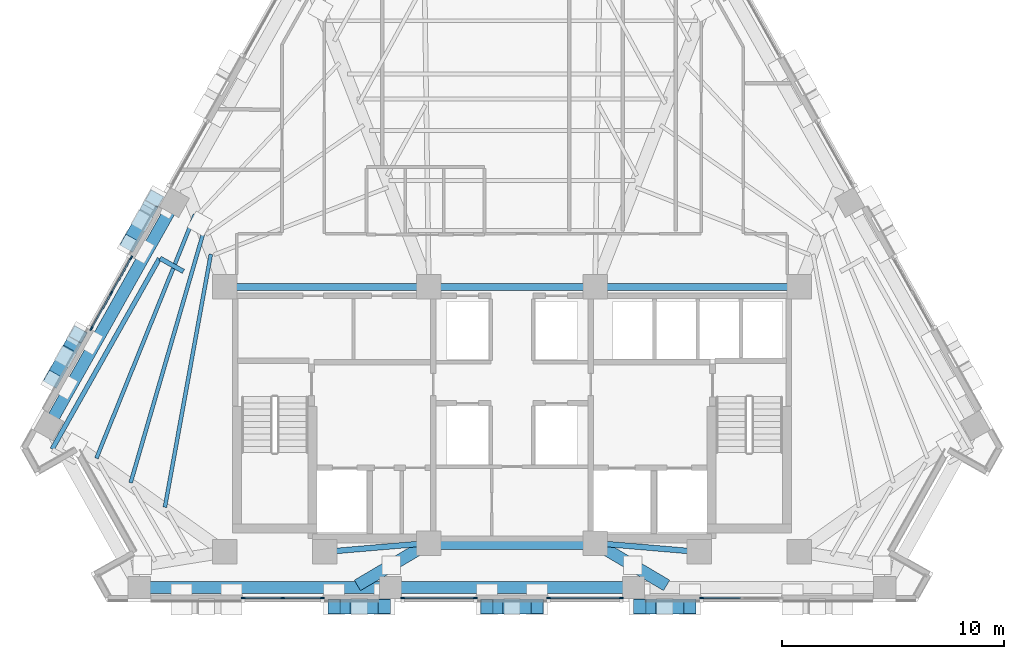
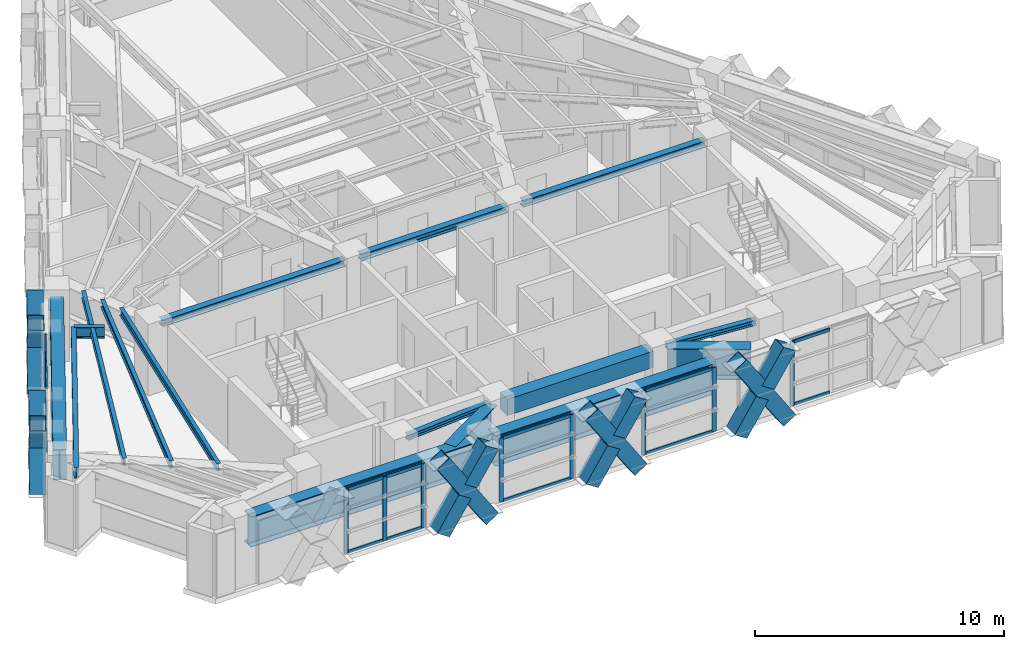
# One storey, part 2 of 13: 39 members, 16 beams, 5 elements without a shape of their own.
"""IFC4 building model written with IfcOpenShell, lengths in metres."""

from ifc_helpers import new_model, si_unit, direction, frame, origin, origin_2d, place, context, subcontext, project, spatial, rectangle, hollow_rectangle, i_section, extrude, material, material_profile, profile_set, type_object, element, aggregate, save


model = new_model("IFC4")

# Units and contexts
model_context = context("Model", 3, precision=1e-05, world=origin(), true_north=direction((0.0, 1.0)))
body_context = subcontext(model_context, "Body", "Model", "MODEL_VIEW")
ifc_project = project(units=[si_unit("LENGTHUNIT", "METRE"), si_unit("AREAUNIT", "SQUARE_METRE"), si_unit("VOLUMEUNIT", "CUBIC_METRE"), si_unit("PLANEANGLEUNIT", "RADIAN"), si_unit("MASSUNIT", "GRAM", prefix="KILO")], contexts=[model_context])

# Site, building, storey
site_placement = place(None, origin())
site = spatial("IfcSite", under=ifc_project, at=site_placement, CompositionType="ELEMENT")
building_placement = place(site_placement, origin())
building = spatial("IfcBuilding", under=site, at=building_placement, Name="Quenlor Broadcast Tower", CompositionType="ELEMENT")
storey_placement = place(building_placement, frame((0.0, 0.0, 175.5)))
storey = spatial("IfcBuildingStorey", under=building, at=storey_placement, Name="L48", CompositionType="ELEMENT", Elevation=175.5)

# Curtain wall, member
ifc_material_1 = material(Name="Architectural Terracotta and Low-E Glazing", Category="masonry")
curtain_wall_type = type_object("IfcCurtainWallType", Name="Unitised Terracotta Curtain Wall System Z3", PredefinedType="NOTDEFINED", material=ifc_material_1)
curtain_wall_1_placement = place(storey_placement, origin())
curtain_wall_1 = element("IfcCurtainWall", 1, at=curtain_wall_1_placement, inside=storey, type_object=curtain_wall_type, Name="L48 Curtain Wall CW3 (L48-SA-G1)", PredefinedType="NOTDEFINED")
ifc_material_2 = material(Name="Aluminium 6063-T6", Category="aluminium")
ifc_material_profile_1 = material_profile(ifc_material_2, rectangle(XDim=0.070068359375, YDim=0.18994140625, at=origin_2d()))
ifc_profile_set_1 = profile_set([ifc_material_profile_1], Name="Aluminium 6063-T6 MULL70x190")
member_type_1 = type_object("IfcMemberType", Name="CW3 Aluminium Mullion MULL_CW3", PredefinedType="MULLION", material=ifc_profile_set_1)
member_1_placement = place(storey_placement, frame((8.550048828125, -18.824951171875, 0.0), z_axis=(0.0, 0.0, 1.0), x_axis=(0.0, -1.0, 0.0)))
member_1 = element("IfcMember", 2, at=member_1_placement, type_object=member_type_1, Name="CW3 mullion 3", PredefinedType="MULLION", context=body_context, shape_type="SweptSolid", body=[
    extrude(rectangle(XDim=0.070068359375, YDim=0.18994140625, at=origin_2d()), origin(), (0.0, 0.0, 1.0), 3.139892578125),
])

# Curtain wall, members
curtain_wall_2_placement = place(storey_placement, origin())
curtain_wall_2 = element("IfcCurtainWall", 3, at=curtain_wall_2_placement, inside=storey, type_object=curtain_wall_type, Name="L48 Curtain Wall CW3 (L48-SC-G1)", PredefinedType="NOTDEFINED")
member_2_placement = place(storey_placement, frame((-8.550048828125, -18.824951171875, 0.0), z_axis=(0.0, 0.0, 1.0), x_axis=(0.0, -1.0, 0.0)))
member_2 = element("IfcMember", 4, at=member_2_placement, type_object=member_type_1, Name="CW3 mullion 1", PredefinedType="MULLION", context=body_context, shape_type="SweptSolid", body=[
    extrude(rectangle(XDim=0.070068359375, YDim=0.18994140625, at=origin_2d()), origin(), (0.0, 0.0, 1.0), 3.139892578125),
])
member_3_placement = place(storey_placement, frame((-10.33203125, -18.824951171875, 0.0), z_axis=(0.0, 0.0, 1.0), x_axis=(0.0, -1.0, 0.0)))
member_3 = element("IfcMember", 5, at=member_3_placement, type_object=member_type_1, Name="CW3 mullion 2", PredefinedType="MULLION", context=body_context, shape_type="SweptSolid", body=[
    extrude(rectangle(XDim=0.070068359375, YDim=0.18994140625, at=origin_2d()), origin(), (0.0, 0.0, 1.0), 3.139892578125),
])
member_4_placement = place(storey_placement, frame((-12.114013671875, -18.824951171875, 0.0), z_axis=(0.0, 0.0, 1.0), x_axis=(0.0, -1.0, 0.0)))
member_4 = element("IfcMember", 6, at=member_4_placement, type_object=member_type_1, Name="CW3 mullion 3", PredefinedType="MULLION", context=body_context, shape_type="SweptSolid", body=[
    extrude(rectangle(XDim=0.070068359375, YDim=0.18994140625, at=origin_2d()), origin(), (0.0, 0.0, 1.0), 3.139892578125),
])

curtain_wall_3_placement = place(storey_placement, origin())
curtain_wall_3 = element("IfcCurtainWall", 7, at=curtain_wall_3_placement, inside=storey, type_object=curtain_wall_type, Name="L48 Curtain Wall CW3 (L48-S-G1)", PredefinedType="NOTDEFINED")
member_5_placement = place(storey_placement, frame((4.926025390625, -18.824951171875, 0.0), z_axis=(0.0, 0.0, 1.0), x_axis=(0.0, -1.0, 0.0)))
member_5 = element("IfcMember", 8, at=member_5_placement, type_object=member_type_1, Name="CW3 mullion 1", PredefinedType="MULLION", context=body_context, shape_type="SweptSolid", body=[
    extrude(rectangle(XDim=0.070068359375, YDim=0.18994140625, at=origin_2d()), origin(), (0.0, 0.0, 1.0), 3.139892578125),
])
member_6_placement = place(storey_placement, frame((1.662109375, -18.824951171875, 0.0), z_axis=(0.0, 0.0, 1.0), x_axis=(0.0, -1.0, 0.0)))
member_6 = element("IfcMember", 9, at=member_6_placement, type_object=member_type_1, Name="CW3 mullion 2", PredefinedType="MULLION", context=body_context, shape_type="SweptSolid", body=[
    extrude(rectangle(XDim=0.070068359375, YDim=0.18994140625, at=origin_2d()), origin(), (0.0, 0.0, 1.0), 3.139892578125),
])

curtain_wall_4_placement = place(storey_placement, origin())
curtain_wall_4 = element("IfcCurtainWall", 10, at=curtain_wall_4_placement, inside=storey, type_object=curtain_wall_type, Name="L48 Curtain Wall CW3 (L48-S-G2)", PredefinedType="NOTDEFINED")
member_7_placement = place(storey_placement, frame((-1.662109375, -18.824951171875, 0.0), z_axis=(0.0, 0.0, 1.0), x_axis=(0.0, -1.0, 0.0)))
member_7 = element("IfcMember", 11, at=member_7_placement, type_object=member_type_1, Name="CW3 mullion 1", PredefinedType="MULLION", context=body_context, shape_type="SweptSolid", body=[
    extrude(rectangle(XDim=0.070068359375, YDim=0.18994140625, at=origin_2d()), origin(), (0.0, 0.0, 1.0), 3.139892578125),
])
member_8_placement = place(storey_placement, frame((-4.926025390625, -18.824951171875, 0.0), z_axis=(0.0, 0.0, 1.0), x_axis=(0.0, -1.0, 0.0)))
member_8 = element("IfcMember", 12, at=member_8_placement, type_object=member_type_1, Name="CW3 mullion 2", PredefinedType="MULLION", context=body_context, shape_type="SweptSolid", body=[
    extrude(rectangle(XDim=0.070068359375, YDim=0.18994140625, at=origin_2d()), origin(), (0.0, 0.0, 1.0), 3.139892578125),
])

curtain_wall_5_placement = place(storey_placement, origin())
curtain_wall_5 = element("IfcCurtainWall", 13, at=curtain_wall_5_placement, inside=storey, type_object=curtain_wall_type, Name="L48 Curtain Wall CW3 (L48-NWA-G1)", PredefinedType="NOTDEFINED")
member_9_placement = place(storey_placement, frame((-18.9677734375, -6.677490234375, 0.0), z_axis=(0.0, 0.0, 1.0), x_axis=(-0.871576967495, 0.490258696743, 0.0)))
member_9 = element("IfcMember", 14, at=member_9_placement, type_object=member_type_1, Name="CW3 mullion 1", PredefinedType="MULLION", context=body_context, shape_type="SweptSolid", body=[
    extrude(rectangle(XDim=0.070068359375, YDim=0.18994140625, at=origin_2d()), origin(), (0.0, 0.0, 1.0), 3.139892578125),
])
member_10_placement = place(storey_placement, frame((-18.069580078125, -5.080810546875, 0.0), z_axis=(0.0, 0.0, 1.0), x_axis=(-0.871576967495, 0.490258696743, 0.0)))
member_10 = element("IfcMember", 15, at=member_10_placement, type_object=member_type_1, Name="CW3 mullion 2", PredefinedType="MULLION", context=body_context, shape_type="SweptSolid", body=[
    extrude(rectangle(XDim=0.070068359375, YDim=0.18994140625, at=origin_2d()), origin(), (0.0, 0.0, 1.0), 3.139892578125),
])
member_11_placement = place(storey_placement, frame((-17.17138671875, -3.48388671875, 0.0), z_axis=(0.0, 0.0, 1.0), x_axis=(-0.871576967495, 0.490258696743, 0.0)))
member_11 = element("IfcMember", 16, at=member_11_placement, type_object=member_type_1, Name="CW3 mullion 3", PredefinedType="MULLION", context=body_context, shape_type="SweptSolid", body=[
    extrude(rectangle(XDim=0.070068359375, YDim=0.18994140625, at=origin_2d()), origin(), (0.0, 0.0, 1.0), 3.139892578125),
])

# Member
ifc_material_3 = material(Name="Aluminium 6063-T6", Category="aluminium")
ifc_material_profile_2 = material_profile(ifc_material_3, rectangle(XDim=0.070068359375, YDim=0.155029296875, at=origin_2d()))
ifc_profile_set_2 = profile_set([ifc_material_profile_2], Name="Aluminium 6063-T6 TRAN70x155")
member_type_2 = type_object("IfcMemberType", Name="CW3 Aluminium Transom TRAN_CW3", PredefinedType="USERDEFINED", material=ifc_profile_set_2)
member_12_placement = place(storey_placement, frame((10.297119140625, -18.824951171875, 0.034912109375), z_axis=(-1.0, 0.0, 0.0), x_axis=(0.0, -1.0, 0.0)))
member_12 = element("IfcMember", 17, at=member_12_placement, type_object=member_type_2, Name="CW3 transom 2.1", ObjectType="TRANSOM", PredefinedType="USERDEFINED", context=body_context, shape_type="SweptSolid", body=[
    extrude(rectangle(XDim=0.070068359375, YDim=0.155029296875, at=origin_2d()), origin(), (0.0, 0.0, 1.0), 1.712158203125),
])

member_13_placement = place(storey_placement, frame((10.297119140625, -18.824951171875, 3.10498046875), z_axis=(-1.0, 0.0, 0.0), x_axis=(0.0, -1.0, 0.0)))
member_13 = element("IfcMember", 18, at=member_13_placement, type_object=member_type_2, Name="CW3 transom 2.2", ObjectType="TRANSOM", PredefinedType="USERDEFINED", context=body_context, shape_type="SweptSolid", body=[
    extrude(rectangle(XDim=0.070068359375, YDim=0.155029296875, at=origin_2d()), origin(), (0.0, 0.0, 1.0), 1.712158203125),
])

aggregate(curtain_wall_1, [member_1, member_12, member_13])

member_14_placement = place(storey_placement, frame((-8.5849609375, -18.824951171875, 0.034912109375), z_axis=(-1.0, 0.0, 0.0), x_axis=(0.0, -1.0, 0.0)))
member_14 = element("IfcMember", 19, at=member_14_placement, type_object=member_type_2, Name="CW3 transom 1.1", ObjectType="TRANSOM", PredefinedType="USERDEFINED", context=body_context, shape_type="SweptSolid", body=[
    extrude(rectangle(XDim=0.070068359375, YDim=0.155029296875, at=origin_2d()), origin(), (0.0, 0.0, 1.0), 1.712158203125),
])

member_15_placement = place(storey_placement, frame((-8.5849609375, -18.824951171875, 3.10498046875), z_axis=(-1.0, 0.0, 0.0), x_axis=(0.0, -1.0, 0.0)))
member_15 = element("IfcMember", 20, at=member_15_placement, type_object=member_type_2, Name="CW3 transom 1.2", ObjectType="TRANSOM", PredefinedType="USERDEFINED", context=body_context, shape_type="SweptSolid", body=[
    extrude(rectangle(XDim=0.070068359375, YDim=0.155029296875, at=origin_2d()), origin(), (0.0, 0.0, 1.0), 1.712158203125),
])

member_16_placement = place(storey_placement, frame((-10.366943359375, -18.824951171875, 0.034912109375), z_axis=(-1.0, 0.0, 0.0), x_axis=(0.0, -1.0, 0.0)))
member_16 = element("IfcMember", 21, at=member_16_placement, type_object=member_type_2, Name="CW3 transom 2.1", ObjectType="TRANSOM", PredefinedType="USERDEFINED", context=body_context, shape_type="SweptSolid", body=[
    extrude(rectangle(XDim=0.070068359375, YDim=0.155029296875, at=origin_2d()), origin(), (0.0, 0.0, 1.0), 1.712158203125),
])

member_17_placement = place(storey_placement, frame((-10.366943359375, -18.824951171875, 3.10498046875), z_axis=(-1.0, 0.0, 0.0), x_axis=(0.0, -1.0, 0.0)))
member_17 = element("IfcMember", 22, at=member_17_placement, type_object=member_type_2, Name="CW3 transom 2.2", ObjectType="TRANSOM", PredefinedType="USERDEFINED", context=body_context, shape_type="SweptSolid", body=[
    extrude(rectangle(XDim=0.070068359375, YDim=0.155029296875, at=origin_2d()), origin(), (0.0, 0.0, 1.0), 1.712158203125),
])

aggregate(curtain_wall_2, [member_2, member_3, member_4, member_14, member_15, member_16, member_17])

member_18_placement = place(storey_placement, frame((4.89111328125, -18.824951171875, 0.034912109375), z_axis=(-1.0, 0.0, 0.0), x_axis=(0.0, -1.0, 0.0)))
member_18 = element("IfcMember", 23, at=member_18_placement, type_object=member_type_2, Name="CW3 transom 1.1", ObjectType="TRANSOM", PredefinedType="USERDEFINED", context=body_context, shape_type="SweptSolid", body=[
    extrude(rectangle(XDim=0.070068359375, YDim=0.155029296875, at=origin_2d()), origin(), (0.0, 0.0, 1.0), 3.194091796875),
])

member_19_placement = place(storey_placement, frame((4.89111328125, -18.824951171875, 3.10498046875), z_axis=(-1.0, 0.0, 0.0), x_axis=(0.0, -1.0, 0.0)))
member_19 = element("IfcMember", 24, at=member_19_placement, type_object=member_type_2, Name="CW3 transom 1.2", ObjectType="TRANSOM", PredefinedType="USERDEFINED", context=body_context, shape_type="SweptSolid", body=[
    extrude(rectangle(XDim=0.070068359375, YDim=0.155029296875, at=origin_2d()), origin(), (0.0, 0.0, 1.0), 3.194091796875),
])

aggregate(curtain_wall_3, [member_5, member_6, member_18, member_19])

member_20_placement = place(storey_placement, frame((-1.697021484375, -18.824951171875, 0.034912109375), z_axis=(-1.0, 0.0, 0.0), x_axis=(0.0, -1.0, 0.0)))
member_20 = element("IfcMember", 25, at=member_20_placement, type_object=member_type_2, Name="CW3 transom 1.1", ObjectType="TRANSOM", PredefinedType="USERDEFINED", context=body_context, shape_type="SweptSolid", body=[
    extrude(rectangle(XDim=0.070068359375, YDim=0.155029296875, at=origin_2d()), origin(), (0.0, 0.0, 1.0), 3.194091796875),
])

member_21_placement = place(storey_placement, frame((-1.697021484375, -18.824951171875, 3.10498046875), z_axis=(-1.0, 0.0, 0.0), x_axis=(0.0, -1.0, 0.0)))
member_21 = element("IfcMember", 26, at=member_21_placement, type_object=member_type_2, Name="CW3 transom 1.2", ObjectType="TRANSOM", PredefinedType="USERDEFINED", context=body_context, shape_type="SweptSolid", body=[
    extrude(rectangle(XDim=0.070068359375, YDim=0.155029296875, at=origin_2d()), origin(), (0.0, 0.0, 1.0), 3.194091796875),
])

aggregate(curtain_wall_4, [member_7, member_8, member_20, member_21])

member_22_placement = place(storey_placement, frame((-18.95068359375, -6.64697265625, 0.034912109375), z_axis=(0.490188879637, 0.871616235668, 0.0), x_axis=(-0.871616235668, 0.490188879637, 0.0)))
member_22 = element("IfcMember", 27, at=member_22_placement, type_object=member_type_2, Name="CW3 transom 1.1", ObjectType="TRANSOM", PredefinedType="USERDEFINED", context=body_context, shape_type="SweptSolid", body=[
    extrude(rectangle(XDim=0.070068359375, YDim=0.155029296875, at=origin_2d()), origin(), (0.0, 0.0, 1.0), 1.76220703125),
])

member_23_placement = place(storey_placement, frame((-18.95068359375, -6.64697265625, 3.10498046875), z_axis=(0.490188879637, 0.871616235668, 0.0), x_axis=(-0.871616235668, 0.490188879637, 0.0)))
member_23 = element("IfcMember", 28, at=member_23_placement, type_object=member_type_2, Name="CW3 transom 1.2", ObjectType="TRANSOM", PredefinedType="USERDEFINED", context=body_context, shape_type="SweptSolid", body=[
    extrude(rectangle(XDim=0.070068359375, YDim=0.155029296875, at=origin_2d()), origin(), (0.0, 0.0, 1.0), 1.76220703125),
])

member_24_placement = place(storey_placement, frame((-18.052490234375, -5.05029296875, 0.034912109375), z_axis=(0.490188879637, 0.871616235668, 0.0), x_axis=(-0.871616235668, 0.490188879637, 0.0)))
member_24 = element("IfcMember", 29, at=member_24_placement, type_object=member_type_2, Name="CW3 transom 2.1", ObjectType="TRANSOM", PredefinedType="USERDEFINED", context=body_context, shape_type="SweptSolid", body=[
    extrude(rectangle(XDim=0.070068359375, YDim=0.155029296875, at=origin_2d()), origin(), (0.0, 0.0, 1.0), 1.76220703125),
])

member_25_placement = place(storey_placement, frame((-18.052490234375, -5.05029296875, 3.10498046875), z_axis=(0.490188879637, 0.871616235668, 0.0), x_axis=(-0.871616235668, 0.490188879637, 0.0)))
member_25 = element("IfcMember", 30, at=member_25_placement, type_object=member_type_2, Name="CW3 transom 2.2", ObjectType="TRANSOM", PredefinedType="USERDEFINED", context=body_context, shape_type="SweptSolid", body=[
    extrude(rectangle(XDim=0.070068359375, YDim=0.155029296875, at=origin_2d()), origin(), (0.0, 0.0, 1.0), 1.76220703125),
])

aggregate(curtain_wall_5, [member_9, member_10, member_11, member_22, member_23, member_24, member_25])

# Beams
ifc_material_4 = material(Name="Concrete C50/60", Category="concrete")
ifc_material_profile_3 = material_profile(ifc_material_4, rectangle(XDim=0.60009765625, YDim=0.800048828125, at=origin_2d()))
ifc_profile_set_3 = profile_set([ifc_material_profile_3], Name="Concrete C50/60 RCB600x800")
beam_type_1 = type_object("IfcBeamType", Name="Core Coupling Beam Concrete C50/60 600x800", PredefinedType="BEAM", material=ifc_profile_set_3)
beam_1_placement = place(storey_placement, frame((-3.389892578125, -16.35009765625, 2.739990234375), z_axis=(1.0, 0.0, 0.0), x_axis=(0.0, 1.0, 0.0)))
element("IfcBeam", 31, at=beam_1_placement, inside=storey, type_object=beam_type_1, Name="L48 Core Coupling Beam 6", PredefinedType="BEAM", context=body_context, shape_type="SweptSolid", body=[
    extrude(rectangle(XDim=0.60009765625, YDim=0.800048828125, at=origin_2d()), origin(), (0.0, 0.0, 1.0), 6.77978515625),
])
ifc_material_5 = material(Name="Steel S355", Category="steel")
ifc_material_profile_4 = material_profile(ifc_material_5, i_section(OverallWidth=0.304931640625, OverallDepth=0.30810546875, WebThickness=0.010009765625, FlangeThickness=0.015380859375, FilletRadius=0.0166015625, at=origin_2d()))
ifc_profile_set_4 = profile_set([ifc_material_profile_4], Name="Steel S355 310UC96.8")
beam_type_2 = type_object("IfcBeamType", Name="Core Header Beam Steel S355 310UC96.8", PredefinedType="BEAM", material=ifc_profile_set_4)
beam_2_placement = place(storey_placement, frame((-3.389892578125, -4.800048828125, 2.986083984375), z_axis=(1.0, 0.0, 0.0), x_axis=(0.0, 1.0, 0.0)))
element("IfcBeam", 32, at=beam_2_placement, inside=storey, type_object=beam_type_2, Name="L48 Core Header Beam 2", PredefinedType="BEAM", context=body_context, shape_type="SweptSolid", body=[
    extrude(i_section(OverallWidth=0.304931640625, OverallDepth=0.30810546875, WebThickness=0.010009765625, FlangeThickness=0.015380859375, FilletRadius=0.0166015625, at=origin_2d()), origin(), (0.0, 0.0, 1.0), 6.77978515625),
])
ifc_material_6 = material(Name="Steel S355", Category="steel")
ifc_material_profile_5 = material_profile(ifc_material_6, i_section(OverallWidth=0.25390625, OverallDepth=0.25390625, WebThickness=0.008544921875, FlangeThickness=0.01416015625, FilletRadius=0.013916015625, at=origin_2d()))
ifc_profile_set_5 = profile_set([ifc_material_profile_5], Name="Steel S355 250UC72.9")
beam_type_3 = type_object("IfcBeamType", Name="Core Opening Lintel Beam Steel S355 250UC72.9", PredefinedType="LINTEL", material=ifc_profile_set_5)
for number, where, z_axis, x_axis, name in (
    (33, (-8.09130859375, -16.719482421875, 3.01318359375), (0.996399763903, 0.084779186679, 0.0), (-0.084779186679, 0.996399763903, 0.0), "L48 Core Opening Lintel Beam 4"),
    (34, (4.108642578125, -16.380615234375, 3.01318359375), (0.996399763903, -0.084779186679, 0.0), (0.084779186679, 0.996399763903, 0.0), "L48 Core Opening Lintel Beam 5"),
):
    element("IfcBeam", number, at=place(storey_placement, frame(where, z_axis=z_axis, x_axis=x_axis)), inside=storey, type_object=beam_type_3, Name=name, PredefinedType="LINTEL", context=body_context, shape_type="SweptSolid", body=[
        extrude(i_section(OverallWidth=0.25390625, OverallDepth=0.25390625, WebThickness=0.008544921875, FlangeThickness=0.01416015625, FilletRadius=0.013916015625, at=origin_2d()), origin(), (0.0, 0.0, 1.0), 3.9970703125),
    ])
ifc_material_7 = material(Name="Steel S355", Category="steel")
ifc_material_profile_6 = material_profile(ifc_material_7, i_section(OverallWidth=0.306884765625, OverallDepth=0.314697265625, WebThickness=0.011962890625, FlangeThickness=0.018798828125, FilletRadius=0.0166015625, at=origin_2d()))
ifc_profile_set_6 = profile_set([ifc_material_profile_6], Name="Steel S355 310UC118")
beam_type_4 = type_object("IfcBeamType", Name="Core Tie Beam Steel S355 310UC118", PredefinedType="BEAM", material=ifc_profile_set_6)
for number, where, z_axis, x_axis, name in (
    (35, (-12.590087890625, -4.800048828125, 2.982666015625), (1.0, 0.0, 0.0), (0.0, 1.0, 0.0), "L48 Core Tie Beam 1"),
    (36, (4.110107421875, -4.800048828125, 2.982666015625), (1.0, 0.0, 0.0), (0.0, 1.0, 0.0), "L48 Core Tie Beam 3"),
):
    element("IfcBeam", number, at=place(storey_placement, frame(where, z_axis=z_axis, x_axis=x_axis)), inside=storey, type_object=beam_type_4, Name=name, PredefinedType="BEAM", context=body_context, shape_type="SweptSolid", body=[
        extrude(i_section(OverallWidth=0.306884765625, OverallDepth=0.314697265625, WebThickness=0.011962890625, FlangeThickness=0.018798828125, FilletRadius=0.0166015625, at=origin_2d()), origin(), (0.0, 0.0, 1.0), 8.47998046875),
    ])

# Members
ifc_material_8 = material(Name="Steel S355", Category="steel")
ifc_material_profile_7 = material_profile(ifc_material_8, hollow_rectangle(XDim=0.679931640625, YDim=0.679931640625, WallThickness=0.02490234375, at=origin_2d()))
ifc_profile_set_7 = profile_set([ifc_material_profile_7], Name="Steel S355 RHS680x680x25")
member_type_3 = type_object("IfcMemberType", Name="Perimeter Diagonal Lattice Brace Z3-Z4 Steel S355 RHS680x25", PredefinedType="BRACE", material=ifc_profile_set_7)
member_26_placement = place(storey_placement, frame((8.022216796875, -19.219970703125, -0.1201171875), z_axis=(-0.543860340502, 0.0, 0.839175744424), x_axis=(0.0, -1.0, 0.0)))
element("IfcMember", 37, at=member_26_placement, inside=storey, type_object=member_type_3, Name="L48 Perimeter Diamond Lattice S-C2XA", PredefinedType="BRACE", context=body_context, shape_type="SweptSolid", body=[
    extrude(hollow_rectangle(XDim=0.679931640625, YDim=0.679931640625, WallThickness=0.02490234375, at=origin_2d()), origin(), (0.0, 0.0, 1.0), 4.170654296875),
])
member_27_placement = place(storey_placement, frame((5.75390625, -19.219970703125, -0.1201171875), z_axis=(0.543786168213, 0.0, 0.839223809994), x_axis=(0.0, 1.0, 0.0)))
element("IfcMember", 38, at=member_27_placement, inside=storey, type_object=member_type_3, Name="L48 Perimeter Diamond Lattice S-C2XB1", PredefinedType="BRACE", context=body_context, shape_type="SweptSolid", body=[
    extrude(hollow_rectangle(XDim=0.679931640625, YDim=0.679931640625, WallThickness=0.02490234375, at=origin_2d()), origin(), (0.0, 0.0, 1.0), 1.83544921875),
])
member_28_placement = place(storey_placement, frame((7.02392578125, -19.219970703125, 1.83984375), z_axis=(0.543940555506, 0.0, 0.839123752539), x_axis=(0.0, 1.0, 0.0)))
element("IfcMember", 39, at=member_28_placement, inside=storey, type_object=member_type_3, Name="L48 Perimeter Diamond Lattice S-C2XB2", PredefinedType="BRACE", context=body_context, shape_type="SweptSolid", body=[
    extrude(hollow_rectangle(XDim=0.679931640625, YDim=0.679931640625, WallThickness=0.02490234375, at=origin_2d()), origin(), (0.0, 0.0, 1.0), 1.835205078125),
])
member_29_placement = place(storey_placement, frame((1.13427734375, -19.219970703125, -0.1201171875), z_axis=(-0.543901560697, 0.0, 0.839149028643), x_axis=(0.0, -1.0, 0.0)))
element("IfcMember", 40, at=member_29_placement, inside=storey, type_object=member_type_3, Name="L48 Perimeter Diamond Lattice S-C3XA", PredefinedType="BRACE", context=body_context, shape_type="SweptSolid", body=[
    extrude(hollow_rectangle(XDim=0.679931640625, YDim=0.679931640625, WallThickness=0.02490234375, at=origin_2d()), origin(), (0.0, 0.0, 1.0), 4.1708984375),
])
member_30_placement = place(storey_placement, frame((-1.13427734375, -19.219970703125, -0.1201171875), z_axis=(0.543879843653, 0.0, 0.83916310433), x_axis=(0.0, 1.0, 0.0)))
element("IfcMember", 41, at=member_30_placement, inside=storey, type_object=member_type_3, Name="L48 Perimeter Diamond Lattice S-C3XB1", PredefinedType="BRACE", context=body_context, shape_type="SweptSolid", body=[
    extrude(hollow_rectangle(XDim=0.679931640625, YDim=0.679931640625, WallThickness=0.02490234375, at=origin_2d()), origin(), (0.0, 0.0, 1.0), 1.83544921875),
])
member_31_placement = place(storey_placement, frame((0.135986328125, -19.219970703125, 1.83984375), z_axis=(0.543940555506, 0.0, 0.839123752539), x_axis=(0.0, 1.0, 0.0)))
element("IfcMember", 42, at=member_31_placement, inside=storey, type_object=member_type_3, Name="L48 Perimeter Diamond Lattice S-C3XB2", PredefinedType="BRACE", context=body_context, shape_type="SweptSolid", body=[
    extrude(hollow_rectangle(XDim=0.679931640625, YDim=0.679931640625, WallThickness=0.02490234375, at=origin_2d()), origin(), (0.0, 0.0, 1.0), 1.835205078125),
])
member_32_placement = place(storey_placement, frame((-5.75390625, -19.219970703125, -0.1201171875), z_axis=(-0.543860340502, 0.0, 0.839175744424), x_axis=(0.0, -1.0, 0.0)))
element("IfcMember", 43, at=member_32_placement, inside=storey, type_object=member_type_3, Name="L48 Perimeter Diamond Lattice S-C4XA", PredefinedType="BRACE", context=body_context, shape_type="SweptSolid", body=[
    extrude(hollow_rectangle(XDim=0.679931640625, YDim=0.679931640625, WallThickness=0.02490234375, at=origin_2d()), origin(), (0.0, 0.0, 1.0), 4.170654296875),
])
member_33_placement = place(storey_placement, frame((-8.022216796875, -19.219970703125, -0.1201171875), z_axis=(0.543879843653, 0.0, 0.83916310433), x_axis=(0.0, 1.0, 0.0)))
element("IfcMember", 44, at=member_33_placement, inside=storey, type_object=member_type_3, Name="L48 Perimeter Diamond Lattice S-C4XB1", PredefinedType="BRACE", context=body_context, shape_type="SweptSolid", body=[
    extrude(hollow_rectangle(XDim=0.679931640625, YDim=0.679931640625, WallThickness=0.02490234375, at=origin_2d()), origin(), (0.0, 0.0, 1.0), 1.83544921875),
])
member_34_placement = place(storey_placement, frame((-6.751953125, -19.219970703125, 1.83984375), z_axis=(0.543846878394, 0.0, 0.839184468911), x_axis=(0.0, 1.0, 0.0)))
element("IfcMember", 45, at=member_34_placement, inside=storey, type_object=member_type_3, Name="L48 Perimeter Diamond Lattice S-C4XB2", PredefinedType="BRACE", context=body_context, shape_type="SweptSolid", body=[
    extrude(hollow_rectangle(XDim=0.679931640625, YDim=0.679931640625, WallThickness=0.02490234375, at=origin_2d()), origin(), (0.0, 0.0, 1.0), 1.835205078125),
])
member_35_placement = place(storey_placement, frame((-20.705810546875, -8.96142578125, -0.1201171875), z_axis=(0.2705491942, 0.481008661973, 0.833926735766), x_axis=(-0.871589611547, 0.490236217596, 0.0)))
element("IfcMember", 46, at=member_35_placement, inside=storey, type_object=member_type_3, Name="L48 Perimeter Diamond Lattice NW-C1XA", PredefinedType="BRACE", context=body_context, shape_type="SweptSolid", body=[
    extrude(hollow_rectangle(XDim=0.679931640625, YDim=0.679931640625, WallThickness=0.02490234375, at=origin_2d()), origin(), (0.0, 0.0, 1.0), 4.197021484375),
])
member_36_placement = place(storey_placement, frame((-19.5703125, -6.942626953125, -0.1201171875), z_axis=(-0.270494026149, -0.481025021111, 0.833935195853), x_axis=(0.871639445711, -0.490147607034, 0.0)))
element("IfcMember", 47, at=member_36_placement, inside=storey, type_object=member_type_3, Name="L48 Perimeter Diamond Lattice NW-C1XB1", PredefinedType="BRACE", context=body_context, shape_type="SweptSolid", body=[
    extrude(hollow_rectangle(XDim=0.679931640625, YDim=0.679931640625, WallThickness=0.02490234375, at=origin_2d()), origin(), (0.0, 0.0, 1.0), 1.848388671875),
])
member_37_placement = place(storey_placement, frame((-20.20556640625, -8.072265625, 1.83837890625), z_axis=(-0.270616433058, -0.481007832697, 0.833905396938), x_axis=(0.871537189362, -0.490329407194, 0.0)))
element("IfcMember", 48, at=member_37_placement, inside=storey, type_object=member_type_3, Name="L48 Perimeter Diamond Lattice NW-C1XB2", PredefinedType="BRACE", context=body_context, shape_type="SweptSolid", body=[
    extrude(hollow_rectangle(XDim=0.679931640625, YDim=0.679931640625, WallThickness=0.02490234375, at=origin_2d()), origin(), (0.0, 0.0, 1.0), 1.8486328125),
])
member_38_placement = place(storey_placement, frame((-17.257568359375, -2.83154296875, -0.1201171875), z_axis=(0.2705491942, 0.481008661973, 0.833926735766), x_axis=(-0.871589611547, 0.490236217596, 0.0)))
element("IfcMember", 49, at=member_38_placement, inside=storey, type_object=member_type_3, Name="L48 Perimeter Diamond Lattice NW-C2XA", PredefinedType="BRACE", context=body_context, shape_type="SweptSolid", body=[
    extrude(hollow_rectangle(XDim=0.679931640625, YDim=0.679931640625, WallThickness=0.02490234375, at=origin_2d()), origin(), (0.0, 0.0, 1.0), 4.197021484375),
])
member_39_placement = place(storey_placement, frame((-16.757568359375, -1.9423828125, 1.83837890625), z_axis=(-0.270494026149, -0.481025021111, 0.833935195853), x_axis=(0.871639445711, -0.490147607034, 0.0)))
element("IfcMember", 50, at=member_39_placement, inside=storey, type_object=member_type_3, Name="L48 Perimeter Diamond Lattice NW-C2XB2", PredefinedType="BRACE", context=body_context, shape_type="SweptSolid", body=[
    extrude(hollow_rectangle(XDim=0.679931640625, YDim=0.679931640625, WallThickness=0.02490234375, at=origin_2d()), origin(), (0.0, 0.0, 1.0), 1.848388671875),
])

# Beams
ifc_material_9 = material(Name="Steel S355", Category="steel")
ifc_material_profile_8 = material_profile(ifc_material_9, i_section(OverallWidth=0.208984375, OverallDepth=0.532958984375, WebThickness=0.01025390625, FlangeThickness=0.015625, FilletRadius=0.013916015625, at=origin_2d()))
ifc_profile_set_8 = profile_set([ifc_material_profile_8], Name="Steel S355 530UB92.4")
beam_type_5 = type_object("IfcBeamType", Name="Perimeter Spandrel Beam Z1 Steel S355 530UB92.4", PredefinedType="SPANDREL", material=ifc_profile_set_8)
beam_3_placement = place(storey_placement, frame((-14.81640625, -4.10205078125, 2.87353515625), z_axis=(-0.871575537125, 0.490261239633, 0.0), x_axis=(-0.490261239633, -0.871575537125, 0.0)))
element("IfcBeam", 51, at=beam_3_placement, inside=storey, type_object=beam_type_5, Name="L48 Lattice Sill Radial Tie NWA2", PredefinedType="SPANDREL", context=body_context, shape_type="SweptSolid", body=[
    extrude(i_section(OverallWidth=0.208984375, OverallDepth=0.532958984375, WebThickness=0.01025390625, FlangeThickness=0.015625, FilletRadius=0.013916015625, at=origin_2d()), origin(), (0.0, 0.0, 1.0), 1.210205078125),
])
beam_4_placement = place(storey_placement, frame((-20.734130859375, -12.114013671875, 2.87353515625), z_axis=(0.490253014007, 0.871580163988, 0.0), x_axis=(-0.871580163988, 0.490253014007, 0.0)))
element("IfcBeam", 52, at=beam_4_placement, inside=storey, type_object=beam_type_5, Name="L48 Lattice Sill Girder NWA", PredefinedType="SPANDREL", context=body_context, shape_type="SweptSolid", body=[
    extrude(i_section(OverallWidth=0.208984375, OverallDepth=0.532958984375, WebThickness=0.01025390625, FlangeThickness=0.015625, FilletRadius=0.013916015625, at=origin_2d()), origin(), (0.0, 0.0, 1.0), 9.8642578125),
])
ifc_material_10 = material(Name="Steel S355", Category="steel")
ifc_material_profile_9 = material_profile(ifc_material_10, i_section(OverallWidth=0.172119140625, OverallDepth=0.358642578125, WebThickness=0.008056640625, FlangeThickness=0.012939453125, FilletRadius=0.011474609375, at=origin_2d()))
ifc_profile_set_9 = profile_set([ifc_material_profile_9], Name="Steel S355 360UB56.7")
beam_type_6 = type_object("IfcBeamType", Name="Tower Composite Joist Z2-Z3 Steel S355 360UB56.7", PredefinedType="JOIST", material=ifc_profile_set_9)
beam_5_placement = place(storey_placement, frame((-15.65185546875, -14.735595703125, 2.960693359375), z_axis=(0.178674258283, 0.983908283036, 0.0), x_axis=(-0.983908283036, 0.178674258283, 0.0)))
element("IfcBeam", 53, at=beam_5_placement, inside=storey, type_object=beam_type_6, Name="L48 Secondary Composite Joist 13", PredefinedType="JOIST", context=body_context, shape_type="SweptSolid", body=[
    extrude(i_section(OverallWidth=0.172119140625, OverallDepth=0.358642578125, WebThickness=0.008056640625, FlangeThickness=0.012939453125, FilletRadius=0.011474609375, at=origin_2d()), origin(), (0.0, 0.0, 1.0), 11.597900390625),
])
beam_6_placement = place(storey_placement, frame((-17.19580078125, -13.631103515625, 2.960693359375), z_axis=(0.279253029603, 0.960217551109, 0.0), x_axis=(-0.960217551109, 0.279253029603, 0.0)))
element("IfcBeam", 54, at=beam_6_placement, inside=storey, type_object=beam_type_6, Name="L48 Secondary Composite Joist 14", PredefinedType="JOIST", context=body_context, shape_type="SweptSolid", body=[
    extrude(i_section(OverallWidth=0.172119140625, OverallDepth=0.358642578125, WebThickness=0.008056640625, FlangeThickness=0.012939453125, FilletRadius=0.011474609375, at=origin_2d()), origin(), (0.0, 0.0, 1.0), 11.660888671875),
])
beam_7_placement = place(storey_placement, frame((-18.740234375, -12.527587890625, 2.960693359375), z_axis=(0.374873206921, 0.927076091123, 0.0), x_axis=(-0.927076091123, 0.374873206921, 0.0)))
element("IfcBeam", 55, at=beam_7_placement, inside=storey, type_object=beam_type_6, Name="L48 Secondary Composite Joist 15", PredefinedType="JOIST", context=body_context, shape_type="SweptSolid", body=[
    extrude(i_section(OverallWidth=0.172119140625, OverallDepth=0.358642578125, WebThickness=0.008056640625, FlangeThickness=0.012939453125, FilletRadius=0.011474609375, at=origin_2d()), origin(), (0.0, 0.0, 1.0), 11.848388671875),
])
ifc_material_11 = material(Name="Steel S355", Category="steel")
ifc_material_profile_10 = material_profile(ifc_material_11, i_section(OverallWidth=0.550048828125, OverallDepth=1.5, WebThickness=0.02197265625, FlangeThickness=0.034912109375, FilletRadius=0.01806640625, at=origin_2d()))
ifc_profile_set_10 = profile_set([ifc_material_profile_10], Name="Steel S355 1500TG510")
beam_type_7 = type_object("IfcBeamType", Name="Zone Setback Transfer Girder Steel S355 1500", PredefinedType="BEAM", material=ifc_profile_set_10)
beam_8_placement = place(storey_placement, frame((-16.3984375, -18.35009765625, 2.389892578125), z_axis=(1.0, 0.0, 0.0), x_axis=(0.0, 1.0, 0.0)))
element("IfcBeam", 56, at=beam_8_placement, inside=storey, type_object=beam_type_7, Name="L48 Spandrel Beam S1-S2", PredefinedType="BEAM", context=body_context, shape_type="SweptSolid", body=[
    extrude(i_section(OverallWidth=0.550048828125, OverallDepth=1.5, WebThickness=0.02197265625, FlangeThickness=0.034912109375, FilletRadius=0.01806640625, at=origin_2d()), origin(), (0.0, 0.0, 1.0), 10.50732421875),
])
beam_9_placement = place(storey_placement, frame((-5.071044921875, -18.35009765625, 2.389892578125), z_axis=(1.0, 0.0, 0.0), x_axis=(0.0, 1.0, 0.0)))
element("IfcBeam", 57, at=beam_9_placement, inside=storey, type_object=beam_type_7, Name="L48 Spandrel Beam S2-S3", PredefinedType="BEAM", context=body_context, shape_type="SweptSolid", body=[
    extrude(i_section(OverallWidth=0.550048828125, OverallDepth=1.5, WebThickness=0.02197265625, FlangeThickness=0.034912109375, FilletRadius=0.01806640625, at=origin_2d()), origin(), (0.0, 0.0, 1.0), 10.14208984375),
])
beam_10_placement = place(storey_placement, frame((-15.425048828125, -1.347900390625, 2.389892578125), z_axis=(-0.490257999604, -0.871577359633, 0.0), x_axis=(0.871577359633, -0.490257999604, 0.0)))
element("IfcBeam", 58, at=beam_10_placement, inside=storey, type_object=beam_type_7, Name="L48 Spandrel Beam NW3-NW4", PredefinedType="BEAM", context=body_context, shape_type="SweptSolid", body=[
    extrude(i_section(OverallWidth=0.550048828125, OverallDepth=1.5, WebThickness=0.02197265625, FlangeThickness=0.034912109375, FilletRadius=0.01806640625, at=origin_2d()), origin(), (0.0, 0.0, 1.0), 10.732666015625),
])
for number, where, z_axis, x_axis, name in (
    (59, (-4.076904296875, -16.543701171875, 2.389892578125), (-0.860323365205, -0.509748670702, 0.0), (0.509748670702, -0.860323365205, 0.0), "L48 Setback Transfer Girder S2"),
    (60, (4.076904296875, -16.543701171875, 2.389892578125), (0.860323365205, -0.509748670702, 0.0), (0.509748670702, 0.860323365205, 0.0), "L48 Setback Transfer Girder S3"),
):
    element("IfcBeam", number, at=place(storey_placement, frame(where, z_axis=z_axis, x_axis=x_axis)), inside=storey, type_object=beam_type_7, Name=name, PredefinedType="BEAM", context=body_context, shape_type="SweptSolid", body=[
        extrude(i_section(OverallWidth=0.550048828125, OverallDepth=1.5, WebThickness=0.02197265625, FlangeThickness=0.034912109375, FilletRadius=0.01806640625, at=origin_2d()), origin(), (0.0, 0.0, 1.0), 3.363525390625),
    ])

save(model, "model.ifc")
